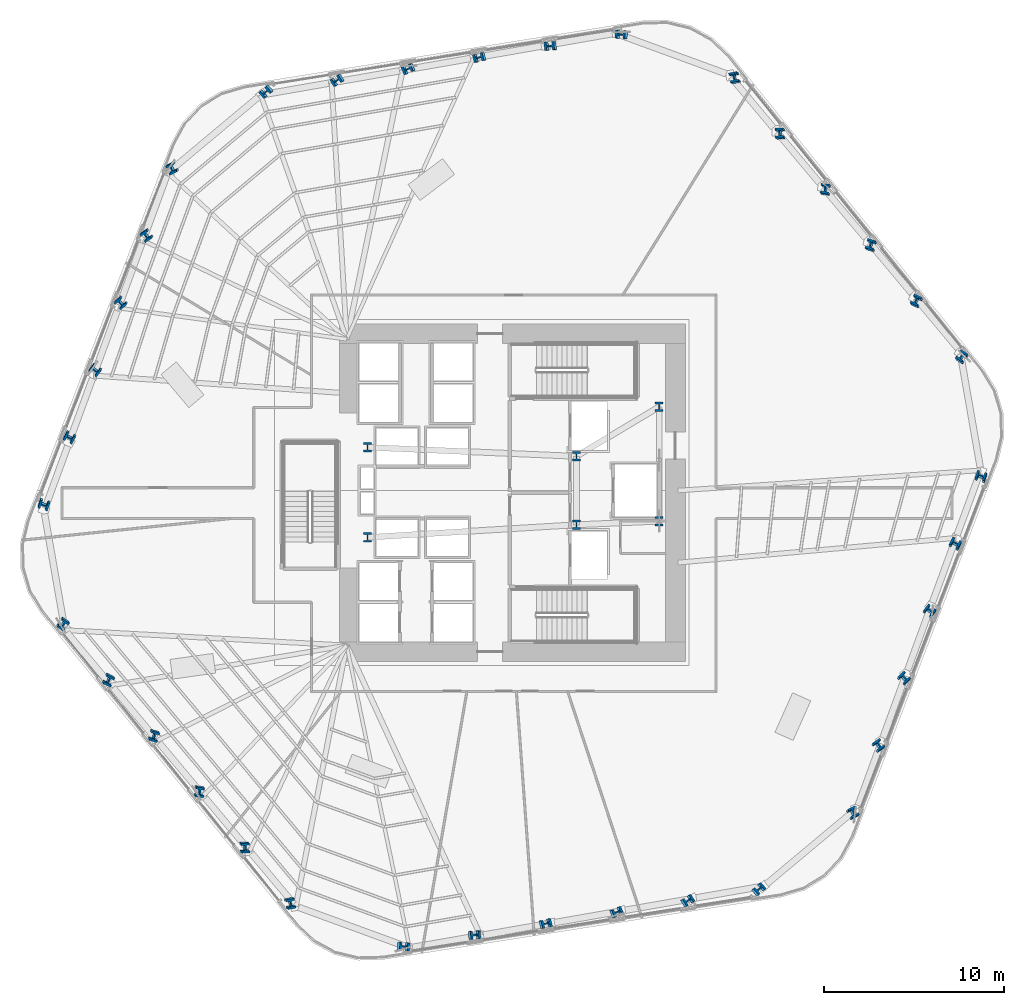
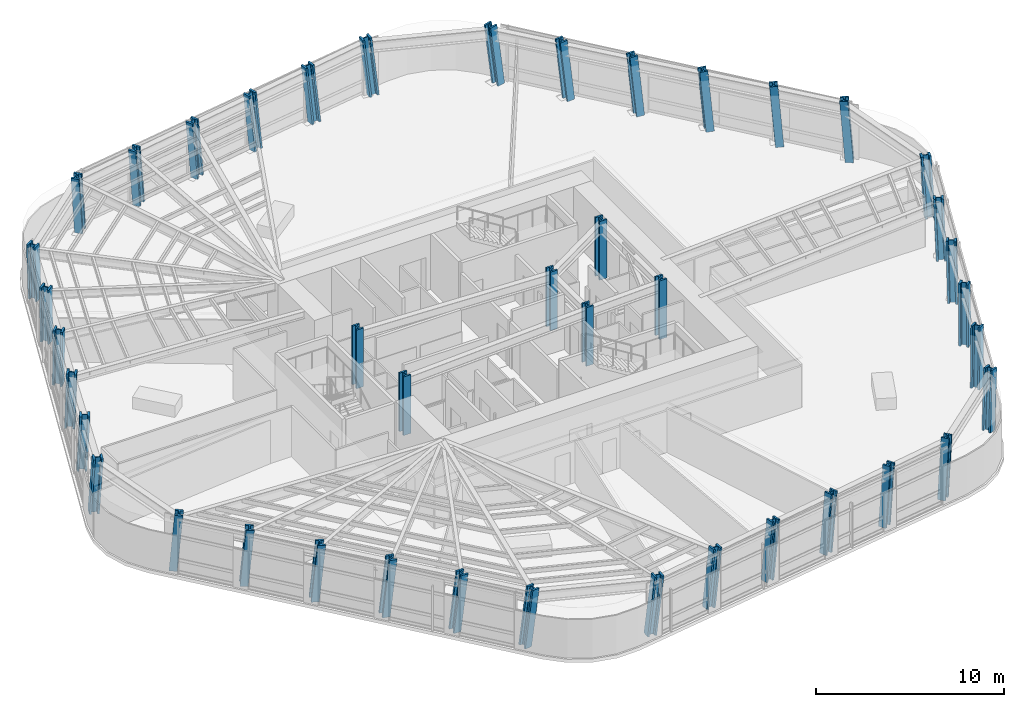
# One storey, part 1 of 16: 42 columns.
"""IFC4 building model written with IfcOpenShell, lengths in metres."""

from ifc_helpers import new_model, si_unit, direction, frame, origin, origin_2d, place, context, subcontext, project, spatial, i_section, extrude, material, material_profile, profile_set, type_object, element, save


model = new_model("IFC4")

# Units and contexts
model_context = context("Model", 3, precision=1e-05, world=origin(), true_north=direction((0.0, 1.0)))
body_context = subcontext(model_context, "Body", "Model", "MODEL_VIEW")
ifc_project = project(units=[si_unit("LENGTHUNIT", "METRE"), si_unit("AREAUNIT", "SQUARE_METRE"), si_unit("VOLUMEUNIT", "CUBIC_METRE"), si_unit("PLANEANGLEUNIT", "RADIAN"), si_unit("MASSUNIT", "GRAM", prefix="KILO")], contexts=[model_context])

# Site, building, storey
site_placement = place(None, origin())
site = spatial("IfcSite", under=ifc_project, at=site_placement, CompositionType="ELEMENT")
building_placement = place(site_placement, origin())
building = spatial("IfcBuilding", under=site, at=building_placement, Name="Valkerne Bourse Tower", CompositionType="ELEMENT")
storey_placement = place(building_placement, frame((0.0, 0.0, 62.0)))
storey = spatial("IfcBuildingStorey", under=building, at=storey_placement, Name="L15", CompositionType="ELEMENT", Elevation=62.0)

# Columns
ifc_material = material(Name="Steel ASTM A913 Grade 65", Category="steel")
ifc_material_profile_1 = material_profile(ifc_material, i_section(OverallWidth=0.44189453125, OverallDepth=0.531005859375, WebThickness=0.06591796875, FlangeThickness=0.105712890625, FilletRadius=0.030517578125, at=origin_2d()), Name="W14X605")
ifc_profile_set_1 = profile_set([ifc_material_profile_1], Name="Steel ASTM A913 Grade 65")
column_type_1 = type_object("IfcColumnType", Name="COL-W14X605", PredefinedType="COLUMN", material=ifc_profile_set_1)
for number, where, z_axis, x_axis, name in (
    (1, (38.75, 24.39990234375, 0.0048828125), (0.0, 0.0, 1.0), (1.0, 0.0, 0.0), "L15 Core Frame Column CC-SW"),
    (2, (38.75, 29.39990234375, 0.0048828125), (0.0, 0.0, 1.0), (1.0, 0.0, 0.0), "L15 Core Frame Column CC-NW"),
    (3, (50.35009765625, 25.10009765625, 0.0048828125), (0.0, 0.0, 1.0), (1.0, 0.0, 0.0), "L15 Core Frame Column CC-CE1"),
    (4, (50.35009765625, 28.89990234375, 0.0048828125), (0.0, 0.0, 1.0), (1.0, 0.0, 0.0), "L15 Core Frame Column CC-CE2"),
    (5, (54.949951171875, 25.300048828125, 0.0048828125), (0.0, 0.0, 1.0), (1.0, 0.0, 0.0), "L15 Core Frame Column CC-SE"),
    (6, (54.949951171875, 31.64990234375, 0.0048828125), (0.0, 0.0, 1.0), (1.0, 0.0, 0.0), "L15 Core Frame Column CC-NE"),
):
    element("IfcColumn", number, at=place(storey_placement, frame(where, z_axis=z_axis, x_axis=x_axis)), inside=storey, type_object=column_type_1, Name=name, PredefinedType="COLUMN", context=body_context, shape_type="SweptSolid", body=[
        extrude(i_section(OverallWidth=0.44189453125, OverallDepth=0.531005859375, WebThickness=0.06591796875, FlangeThickness=0.105712890625, FilletRadius=0.030517578125, at=origin_2d()), origin(), (0.0, 0.0, 1.0), 3.795166015625),
    ])
ifc_material_profile_2 = material_profile(ifc_material, i_section(OverallWidth=0.44970703125, OverallDepth=0.548583984375, WebThickness=0.072021484375, FlangeThickness=0.11474609375, FilletRadius=0.030517578125, at=origin_2d()), Name="W14X665")
ifc_profile_set_2 = profile_set([ifc_material_profile_2], Name="Steel ASTM A913 Grade 65")
column_type_2 = type_object("IfcColumnType", Name="COL-W14X665", PredefinedType="COLUMN", material=ifc_profile_set_2)
column_1_placement = place(storey_placement, frame((71.763427734375, 34.3603515625, 0.010009765625), z_axis=(-0.031199406181, 0.102842487041, 0.994208237701), x_axis=(0.826521333567, -0.55667477684, 0.08352052435)))
element("IfcColumn", 7, at=column_1_placement, inside=storey, type_object=column_type_2, Name="L15 Helical Perimeter Tube Column F1-C1", PredefinedType="COLUMN", context=body_context, shape_type="SweptSolid", body=[
    extrude(i_section(OverallWidth=0.44970703125, OverallDepth=0.548583984375, WebThickness=0.072021484375, FlangeThickness=0.11474609375, FilletRadius=0.030517578125, at=origin_2d()), origin(), (0.0, 0.0, 1.0), 3.802978515625),
])
column_2_placement = place(storey_placement, frame((69.248779296875, 37.4658203125, 0.010009765625), z_axis=(-0.043998290894, 0.092428526418, 0.99474676069), x_axis=(0.900496804355, -0.427523944652, 0.079553642884)))
element("IfcColumn", 8, at=column_2_placement, inside=storey, type_object=column_type_2, Name="L15 Helical Perimeter Tube Column F1-C2", PredefinedType="COLUMN", context=body_context, shape_type="SweptSolid", body=[
    extrude(i_section(OverallWidth=0.44970703125, OverallDepth=0.548583984375, WebThickness=0.072021484375, FlangeThickness=0.11474609375, FilletRadius=0.030517578125, at=origin_2d()), origin(), (0.0, 0.0, 1.0), 3.801025390625),
])
column_3_placement = place(storey_placement, frame((66.73388671875, 40.5712890625, 0.010009765625), z_axis=(-0.056731504153, 0.08198119966, 0.995017899004), x_axis=(0.957521084545, -0.277759654379, 0.077478687715)))
element("IfcColumn", 9, at=column_3_placement, inside=storey, type_object=column_type_2, Name="L15 Helical Perimeter Tube Column F1-C3", PredefinedType="COLUMN", context=body_context, shape_type="SweptSolid", body=[
    extrude(i_section(OverallWidth=0.44970703125, OverallDepth=0.548583984375, WebThickness=0.072021484375, FlangeThickness=0.11474609375, FilletRadius=0.030517578125, at=origin_2d()), origin(), (0.0, 0.0, 1.0), 3.800048828125),
])
column_4_placement = place(storey_placement, frame((64.218994140625, 43.6767578125, 0.010009765625), z_axis=(-0.069453120429, 0.071444838036, 0.995023567148), x_axis=(0.990249342233, -0.115802010707, 0.077434711362)))
element("IfcColumn", 10, at=column_4_placement, inside=storey, type_object=column_type_2, Name="L15 Helical Perimeter Tube Column F1-C4", PredefinedType="COLUMN", context=body_context, shape_type="SweptSolid", body=[
    extrude(i_section(OverallWidth=0.44970703125, OverallDepth=0.548583984375, WebThickness=0.072021484375, FlangeThickness=0.11474609375, FilletRadius=0.030517578125, at=origin_2d()), origin(), (0.0, 0.0, 1.0), 3.7998046875),
])
column_5_placement = place(storey_placement, frame((61.704345703125, 46.7822265625, 0.010009765625), z_axis=(-0.082215944713, 0.06095541526, 0.994748699816), x_axis=(0.995810197888, 0.045117598298, 0.079538997386)))
element("IfcColumn", 11, at=column_5_placement, inside=storey, type_object=column_type_2, Name="L15 Helical Perimeter Tube Column F1-C5", PredefinedType="COLUMN", context=body_context, shape_type="SweptSolid", body=[
    extrude(i_section(OverallWidth=0.44970703125, OverallDepth=0.548583984375, WebThickness=0.072021484375, FlangeThickness=0.11474609375, FilletRadius=0.030517578125, at=origin_2d()), origin(), (0.0, 0.0, 1.0), 3.801025390625),
])
for number, where, z_axis, x_axis, name in (
    (12, (59.189697265625, 49.8876953125, 0.010009765625), (-0.094946132475, 0.050393991882, 0.994206053849), (0.977508986567, 0.193643694899, 0.083536223325), "L15 Helical Perimeter Tube Column F1-C6"),
    (13, (52.907470703125, 52.299072265625, 0.010009765625), (-0.104640263999, 0.024394662773, 0.994210900955), (0.072778232492, 0.997206503357, -0.016808287745), "L15 Helical Perimeter Tube Column F2-C1"),
):
    element("IfcColumn", number, at=place(storey_placement, frame(where, z_axis=z_axis, x_axis=x_axis)), inside=storey, type_object=column_type_2, Name=name, PredefinedType="COLUMN", context=body_context, shape_type="SweptSolid", body=[
        extrude(i_section(OverallWidth=0.44970703125, OverallDepth=0.548583984375, WebThickness=0.072021484375, FlangeThickness=0.11474609375, FilletRadius=0.030517578125, at=origin_2d()), origin(), (0.0, 0.0, 1.0), 3.802978515625),
    ])
column_6_placement = place(storey_placement, frame((48.960693359375, 51.674072265625, 0.010009765625), z_axis=(-0.101999446981, 0.008093155113, 0.994751533628), x_axis=(-0.07700319355, 0.996902354327, -0.016006377478)))
element("IfcColumn", 14, at=column_6_placement, inside=storey, type_object=column_type_2, Name="L15 Helical Perimeter Tube Column F2-C2", PredefinedType="COLUMN", context=body_context, shape_type="SweptSolid", body=[
    extrude(i_section(OverallWidth=0.44970703125, OverallDepth=0.548583984375, WebThickness=0.072021484375, FlangeThickness=0.11474609375, FilletRadius=0.030517578125, at=origin_2d()), origin(), (0.0, 0.0, 1.0), 3.801025390625),
])
column_7_placement = place(storey_placement, frame((45.013916015625, 51.048828125, 0.010009765625), z_axis=(-0.099328650824, -0.008159598095, 0.995021225947), x_axis=(-0.235996779948, 0.971628760339, -0.015590764463)))
element("IfcColumn", 15, at=column_7_placement, inside=storey, type_object=column_type_2, Name="L15 Helical Perimeter Tube Column F2-C3", PredefinedType="COLUMN", context=body_context, shape_type="SweptSolid", body=[
    extrude(i_section(OverallWidth=0.44970703125, OverallDepth=0.548583984375, WebThickness=0.072021484375, FlangeThickness=0.11474609375, FilletRadius=0.030517578125, at=origin_2d()), origin(), (0.0, 0.0, 1.0), 3.7998046875),
])
column_8_placement = place(storey_placement, frame((41.067138671875, 50.423828125, 0.010009765625), z_axis=(-0.096630015183, -0.024478747197, 0.995019311924), x_axis=(-0.39343326561, 0.919220920324, -0.015593753525)))
element("IfcColumn", 16, at=column_8_placement, inside=storey, type_object=column_type_2, Name="L15 Helical Perimeter Tube Column F2-C4", PredefinedType="COLUMN", context=body_context, shape_type="SweptSolid", body=[
    extrude(i_section(OverallWidth=0.44970703125, OverallDepth=0.548583984375, WebThickness=0.072021484375, FlangeThickness=0.11474609375, FilletRadius=0.030517578125, at=origin_2d()), origin(), (0.0, 0.0, 1.0), 3.800048828125),
])
column_9_placement = place(storey_placement, frame((37.120361328125, 49.798583984375, 0.010009765625), z_axis=(-0.093905947061, -0.040722551598, 0.994747881072), x_axis=(-0.535722548926, 0.844242245225, -0.016011931495)))
element("IfcColumn", 17, at=column_9_placement, inside=storey, type_object=column_type_2, Name="L15 Helical Perimeter Tube Column F2-C5", PredefinedType="COLUMN", context=body_context, shape_type="SweptSolid", body=[
    extrude(i_section(OverallWidth=0.44970703125, OverallDepth=0.548583984375, WebThickness=0.072021484375, FlangeThickness=0.11474609375, FilletRadius=0.030517578125, at=origin_2d()), origin(), (0.0, 0.0, 1.0), 3.801025390625),
])
for number, where, z_axis, x_axis, name in (
    (18, (33.173583984375, 49.173583984375, 0.010009765625), (-0.091158318506, -0.057006047066, 0.994203435704), (-0.655552135416, 0.754962592421, -0.016819090219), "L15 Helical Perimeter Tube Column F2-C6"),
    (19, (27.944091796875, 44.938720703125, 0.010009765625), (-0.073440665284, -0.078447983371, 0.99420942592), (-0.895953241209, -0.432669856585, -0.100322404125), "L15 Helical Perimeter Tube Column F3-C1"),
):
    element("IfcColumn", number, at=place(storey_placement, frame(where, z_axis=z_axis, x_axis=x_axis)), inside=storey, type_object=column_type_2, Name=name, PredefinedType="COLUMN", context=body_context, shape_type="SweptSolid", body=[
        extrude(i_section(OverallWidth=0.44970703125, OverallDepth=0.548583984375, WebThickness=0.072021484375, FlangeThickness=0.11474609375, FilletRadius=0.030517578125, at=origin_2d()), origin(), (0.0, 0.0, 1.0), 3.802978515625),
    ])
column_10_placement = place(storey_placement, frame((26.51220703125, 41.208251953125, 0.010009765625), z_axis=(-0.05806474936, -0.084335194591, 0.994744218297), x_axis=(-0.821811924685, -0.561682870863, -0.095590339598)))
element("IfcColumn", 20, at=column_10_placement, inside=storey, type_object=column_type_2, Name="L15 Helical Perimeter Tube Column F3-C2", PredefinedType="COLUMN", context=body_context, shape_type="SweptSolid", body=[
    extrude(i_section(OverallWidth=0.44970703125, OverallDepth=0.548583984375, WebThickness=0.072021484375, FlangeThickness=0.11474609375, FilletRadius=0.030517578125, at=origin_2d()), origin(), (0.0, 0.0, 1.0), 3.801025390625),
])
for number, where, z_axis, x_axis, name in (
    (21, (25.080078125, 37.477783203125, 0.010009765625), (-0.042596804622, -0.090140749449, 0.995017666941), (-0.720901287137, -0.686759085645, -0.093076809617), "L15 Helical Perimeter Tube Column F3-C3"),
    (22, (23.64794921875, 33.7470703125, 0.010009765625), (-0.027112945552, -0.09592328841, 0.995019402285), (-0.59752225893, -0.796433843757, -0.093060639375), "L15 Helical Perimeter Tube Column F3-C4"),
):
    element("IfcColumn", number, at=place(storey_placement, frame(where, z_axis=z_axis, x_axis=x_axis)), inside=storey, type_object=column_type_2, Name=name, PredefinedType="COLUMN", context=body_context, shape_type="SweptSolid", body=[
        extrude(i_section(OverallWidth=0.44970703125, OverallDepth=0.548583984375, WebThickness=0.072021484375, FlangeThickness=0.11474609375, FilletRadius=0.030517578125, at=origin_2d()), origin(), (0.0, 0.0, 1.0), 3.800048828125),
    ])
column_11_placement = place(storey_placement, frame((22.2158203125, 30.0166015625, 0.010009765625), z_axis=(-0.011625780899, -0.101741640575, 0.994742921458), x_axis=(-0.461482162117, -0.88198324946, -0.095602101019)))
element("IfcColumn", 23, at=column_11_placement, inside=storey, type_object=column_type_2, Name="L15 Helical Perimeter Tube Column F3-C5", PredefinedType="COLUMN", context=body_context, shape_type="SweptSolid", body=[
    extrude(i_section(OverallWidth=0.44970703125, OverallDepth=0.548583984375, WebThickness=0.072021484375, FlangeThickness=0.11474609375, FilletRadius=0.030517578125, at=origin_2d()), origin(), (0.0, 0.0, 1.0), 3.801025390625),
])
for number, where, z_axis, x_axis, name in (
    (24, (20.783935546875, 26.285888671875, 0.010009765625), (0.003787557593, -0.107463922211, 0.994201770181), (-0.325452688022, -0.940214175257, -0.100388507832), "L15 Helical Perimeter Tube Column F3-C6"),
    (25, (21.836669921875, 19.6396484375, 0.010009765625), (0.031135272168, -0.102842692811, 0.994210226945), (0.826203389278, -0.557148696915, -0.083506221751), "L15 Helical Perimeter Tube Column F4-C1"),
):
    element("IfcColumn", number, at=place(storey_placement, frame(where, z_axis=z_axis, x_axis=x_axis)), inside=storey, type_object=column_type_2, Name=name, PredefinedType="COLUMN", context=body_context, shape_type="SweptSolid", body=[
        extrude(i_section(OverallWidth=0.44970703125, OverallDepth=0.548583984375, WebThickness=0.072021484375, FlangeThickness=0.11474609375, FilletRadius=0.030517578125, at=origin_2d()), origin(), (0.0, 0.0, 1.0), 3.802978515625),
    ])
column_12_placement = place(storey_placement, frame((24.351318359375, 16.5341796875, 0.010009765625), z_axis=(0.043998290894, -0.092428526418, 0.99474676069), x_axis=(0.900496804355, -0.427523944652, -0.079553642884)))
element("IfcColumn", 26, at=column_12_placement, inside=storey, type_object=column_type_2, Name="L15 Helical Perimeter Tube Column F4-C2", PredefinedType="COLUMN", context=body_context, shape_type="SweptSolid", body=[
    extrude(i_section(OverallWidth=0.44970703125, OverallDepth=0.548583984375, WebThickness=0.072021484375, FlangeThickness=0.11474609375, FilletRadius=0.030517578125, at=origin_2d()), origin(), (0.0, 0.0, 1.0), 3.801025390625),
])
for number, where, z_axis, x_axis, name in (
    (27, (26.8662109375, 13.4287109375, 0.010009765625), (0.056731504153, -0.08198119966, 0.995017899004), (0.957521084545, -0.277759654379, -0.077478687715), "L15 Helical Perimeter Tube Column F4-C3"),
    (28, (29.380859375, 10.3232421875, 0.010009765625), (0.069517059036, -0.071444519083, 0.99501912504), (0.990300346025, -0.115341888221, -0.077469177639), "L15 Helical Perimeter Tube Column F4-C4"),
):
    element("IfcColumn", number, at=place(storey_placement, frame(where, z_axis=z_axis, x_axis=x_axis)), inside=storey, type_object=column_type_2, Name=name, PredefinedType="COLUMN", context=body_context, shape_type="SweptSolid", body=[
        extrude(i_section(OverallWidth=0.44970703125, OverallDepth=0.548583984375, WebThickness=0.072021484375, FlangeThickness=0.11474609375, FilletRadius=0.030517578125, at=origin_2d()), origin(), (0.0, 0.0, 1.0), 3.800048828125),
    ])
column_13_placement = place(storey_placement, frame((31.8955078125, 7.2177734375, 0.010009765625), z_axis=(0.082279741246, -0.060955093241, 0.994743444707), x_axis=(0.995789991756, 0.045492041698, -0.07957868095)))
element("IfcColumn", 29, at=column_13_placement, inside=storey, type_object=column_type_2, Name="L15 Helical Perimeter Tube Column F4-C5", PredefinedType="COLUMN", context=body_context, shape_type="SweptSolid", body=[
    extrude(i_section(OverallWidth=0.44970703125, OverallDepth=0.548583984375, WebThickness=0.072021484375, FlangeThickness=0.11474609375, FilletRadius=0.030517578125, at=origin_2d()), origin(), (0.0, 0.0, 1.0), 3.801025390625),
])
for number, where, z_axis, x_axis, name in (
    (30, (34.410400390625, 4.1123046875, 0.010009765625), (0.094946132475, -0.050393991882, 0.994206053849), (0.977508986567, 0.193643694899, -0.083536223325), "L15 Helical Perimeter Tube Column F4-C6"),
    (31, (40.6923828125, 1.700927734375, 0.010009765625), (0.104703756916, -0.024394498852, 0.994204220326), (0.072644055947, 0.997216123776, 0.016817955174), "L15 Helical Perimeter Tube Column F5-C1"),
):
    element("IfcColumn", number, at=place(storey_placement, frame(where, z_axis=z_axis, x_axis=x_axis)), inside=storey, type_object=column_type_2, Name=name, PredefinedType="COLUMN", context=body_context, shape_type="SweptSolid", body=[
        extrude(i_section(OverallWidth=0.44970703125, OverallDepth=0.548583984375, WebThickness=0.072021484375, FlangeThickness=0.11474609375, FilletRadius=0.030517578125, at=origin_2d()), origin(), (0.0, 0.0, 1.0), 3.802978515625),
    ])
column_14_placement = place(storey_placement, frame((44.639404296875, 2.325927734375, 0.010009765625), z_axis=(0.101999446981, -0.008093155113, 0.994751533628), x_axis=(-0.07700319355, 0.996902354327, 0.016006377478)))
element("IfcColumn", 32, at=column_14_placement, inside=storey, type_object=column_type_2, Name="L15 Helical Perimeter Tube Column F5-C2", PredefinedType="COLUMN", context=body_context, shape_type="SweptSolid", body=[
    extrude(i_section(OverallWidth=0.44970703125, OverallDepth=0.548583984375, WebThickness=0.072021484375, FlangeThickness=0.11474609375, FilletRadius=0.030517578125, at=origin_2d()), origin(), (0.0, 0.0, 1.0), 3.801025390625),
])
column_15_placement = place(storey_placement, frame((48.586181640625, 2.951171875, 0.010009765625), z_axis=(0.099328650824, 0.008159598095, 0.995021225947), x_axis=(-0.235996779948, 0.971628760339, 0.015590764463)))
element("IfcColumn", 33, at=column_15_placement, inside=storey, type_object=column_type_2, Name="L15 Helical Perimeter Tube Column F5-C3", PredefinedType="COLUMN", context=body_context, shape_type="SweptSolid", body=[
    extrude(i_section(OverallWidth=0.44970703125, OverallDepth=0.548583984375, WebThickness=0.072021484375, FlangeThickness=0.11474609375, FilletRadius=0.030517578125, at=origin_2d()), origin(), (0.0, 0.0, 1.0), 3.7998046875),
])
column_16_placement = place(storey_placement, frame((52.532958984375, 3.576171875, 0.010009765625), z_axis=(0.096630015183, 0.024478747197, 0.995019311924), x_axis=(-0.39343326561, 0.919220920324, 0.015593753525)))
element("IfcColumn", 34, at=column_16_placement, inside=storey, type_object=column_type_2, Name="L15 Helical Perimeter Tube Column F5-C4", PredefinedType="COLUMN", context=body_context, shape_type="SweptSolid", body=[
    extrude(i_section(OverallWidth=0.44970703125, OverallDepth=0.548583984375, WebThickness=0.072021484375, FlangeThickness=0.11474609375, FilletRadius=0.030517578125, at=origin_2d()), origin(), (0.0, 0.0, 1.0), 3.800048828125),
])
column_17_placement = place(storey_placement, frame((56.479736328125, 4.201416015625, 0.010009765625), z_axis=(0.093905947061, 0.040722551598, 0.994747881072), x_axis=(-0.535722548926, 0.844242245225, 0.016011931495)))
element("IfcColumn", 35, at=column_17_placement, inside=storey, type_object=column_type_2, Name="L15 Helical Perimeter Tube Column F5-C5", PredefinedType="COLUMN", context=body_context, shape_type="SweptSolid", body=[
    extrude(i_section(OverallWidth=0.44970703125, OverallDepth=0.548583984375, WebThickness=0.072021484375, FlangeThickness=0.11474609375, FilletRadius=0.030517578125, at=origin_2d()), origin(), (0.0, 0.0, 1.0), 3.801025390625),
])
for number, where, z_axis, x_axis, name in (
    (36, (60.426513671875, 4.826416015625, 0.010009765625), (0.091158318506, 0.057006047066, 0.994203435704), (-0.655552135416, 0.754962592421, 0.016819090219), "L15 Helical Perimeter Tube Column F5-C6"),
    (37, (65.656005859375, 9.061279296875, 0.010009765625), (0.073440665284, 0.078447983371, 0.99420942592), (-0.895953241209, -0.432669856585, 0.100322404125), "L15 Helical Perimeter Tube Column F6-C1"),
):
    element("IfcColumn", number, at=place(storey_placement, frame(where, z_axis=z_axis, x_axis=x_axis)), inside=storey, type_object=column_type_2, Name=name, PredefinedType="COLUMN", context=body_context, shape_type="SweptSolid", body=[
        extrude(i_section(OverallWidth=0.44970703125, OverallDepth=0.548583984375, WebThickness=0.072021484375, FlangeThickness=0.11474609375, FilletRadius=0.030517578125, at=origin_2d()), origin(), (0.0, 0.0, 1.0), 3.802978515625),
    ])
column_18_placement = place(storey_placement, frame((67.087890625, 12.791748046875, 0.010009765625), z_axis=(0.05806474936, 0.084335194591, 0.994744218297), x_axis=(-0.821811924685, -0.561682870863, 0.095590339598)))
element("IfcColumn", 38, at=column_18_placement, inside=storey, type_object=column_type_2, Name="L15 Helical Perimeter Tube Column F6-C2", PredefinedType="COLUMN", context=body_context, shape_type="SweptSolid", body=[
    extrude(i_section(OverallWidth=0.44970703125, OverallDepth=0.548583984375, WebThickness=0.072021484375, FlangeThickness=0.11474609375, FilletRadius=0.030517578125, at=origin_2d()), origin(), (0.0, 0.0, 1.0), 3.801025390625),
])
for number, where, z_axis, x_axis, name in (
    (39, (68.52001953125, 16.522216796875, 0.010009765625), (0.042596804622, 0.090140749449, 0.995017666941), (-0.720901287137, -0.686759085645, 0.093076809617), "L15 Helical Perimeter Tube Column F6-C3"),
    (40, (69.951904296875, 20.2529296875, 0.010009765625), (0.02717714684, 0.095923121117, 0.995017666941), (-0.598015595805, -0.796061589757, 0.093076809617), "L15 Helical Perimeter Tube Column F6-C4"),
):
    element("IfcColumn", number, at=place(storey_placement, frame(where, z_axis=z_axis, x_axis=x_axis)), inside=storey, type_object=column_type_2, Name=name, PredefinedType="COLUMN", context=body_context, shape_type="SweptSolid", body=[
        extrude(i_section(OverallWidth=0.44970703125, OverallDepth=0.548583984375, WebThickness=0.072021484375, FlangeThickness=0.11474609375, FilletRadius=0.030517578125, at=origin_2d()), origin(), (0.0, 0.0, 1.0), 3.800048828125),
    ])
column_19_placement = place(storey_placement, frame((71.384033203125, 23.9833984375, 0.010009765625), z_axis=(0.011690002979, 0.101741564392, 0.994742176599), x_axis=(-0.462031584921, -0.881694823193, 0.095608855711)))
element("IfcColumn", 41, at=column_19_placement, inside=storey, type_object=column_type_2, Name="L15 Helical Perimeter Tube Column F6-C5", PredefinedType="COLUMN", context=body_context, shape_type="SweptSolid", body=[
    extrude(i_section(OverallWidth=0.44970703125, OverallDepth=0.548583984375, WebThickness=0.072021484375, FlangeThickness=0.11474609375, FilletRadius=0.030517578125, at=origin_2d()), origin(), (0.0, 0.0, 1.0), 3.801025390625),
])
column_20_placement = place(storey_placement, frame((72.816162109375, 27.714111328125, 0.010009765625), z_axis=(-0.003787557593, 0.107463922211, 0.994201770181), x_axis=(-0.325452688022, -0.940214175257, 0.100388507832)))
element("IfcColumn", 42, at=column_20_placement, inside=storey, type_object=column_type_2, Name="L15 Helical Perimeter Tube Column F6-C6", PredefinedType="COLUMN", context=body_context, shape_type="SweptSolid", body=[
    extrude(i_section(OverallWidth=0.44970703125, OverallDepth=0.548583984375, WebThickness=0.072021484375, FlangeThickness=0.11474609375, FilletRadius=0.030517578125, at=origin_2d()), origin(), (0.0, 0.0, 1.0), 3.802978515625),
])

save(model, "model.ifc")
